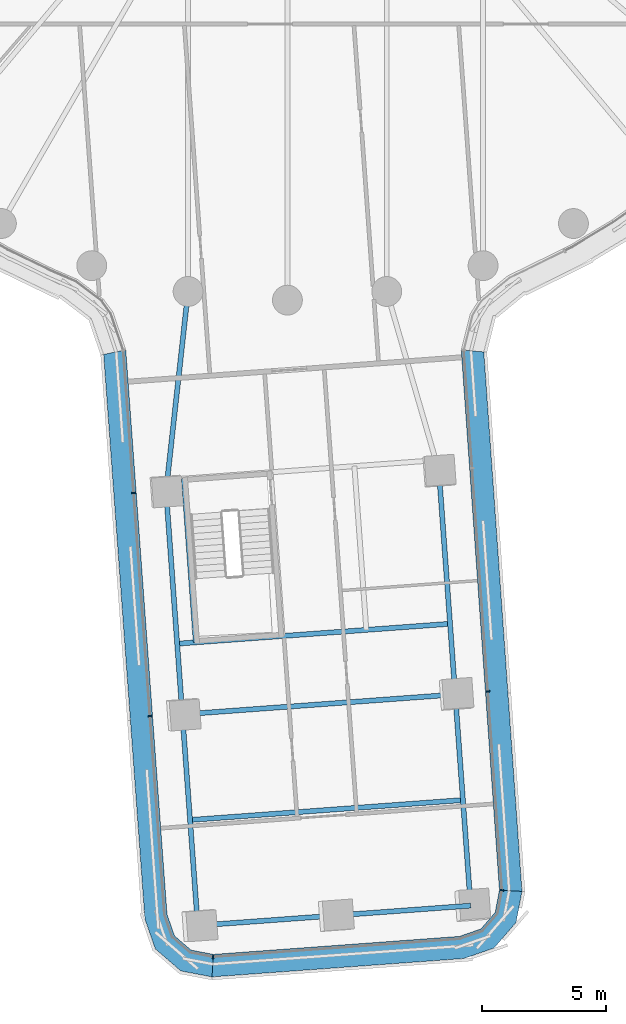
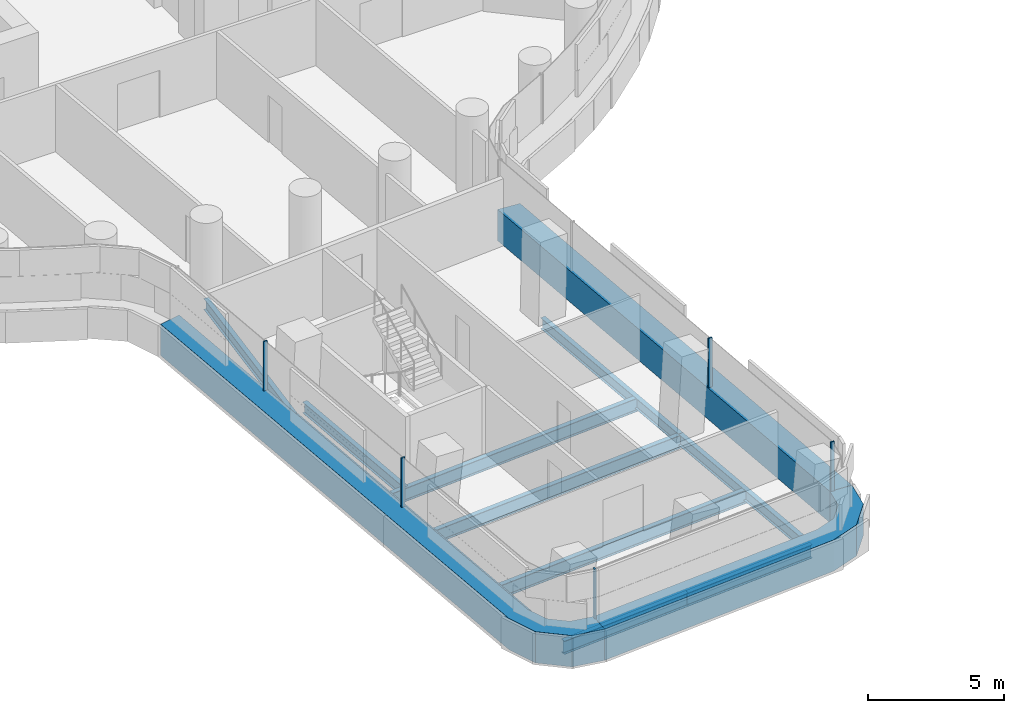
# One storey, part 2 of 31: 11 beams, 8 members, 3 elements without a shape of their own.
"""IFC4 building model written with IfcOpenShell, lengths in metres."""

from ifc_helpers import new_model, si_unit, direction, frame, origin, origin_2d, place, context, subcontext, project, spatial, polyline, rectangle, i_section, outline, extrude, material, layer, layer_set, material_profile, profile_set, type_object, element, aggregate, save


model = new_model("IFC4")

# Units and contexts
model_context = context("Model", 3, precision=1e-05, world=origin(), true_north=direction((0.0, 1.0)))
body_context = subcontext(model_context, "Body", "Model", "MODEL_VIEW")
ifc_project = project(units=[si_unit("LENGTHUNIT", "METRE"), si_unit("AREAUNIT", "SQUARE_METRE"), si_unit("VOLUMEUNIT", "CUBIC_METRE"), si_unit("PLANEANGLEUNIT", "RADIAN"), si_unit("MASSUNIT", "GRAM", prefix="KILO")], contexts=[model_context])

# Site, building, storey
site_placement = place(None, origin())
site = spatial("IfcSite", under=ifc_project, at=site_placement, CompositionType="ELEMENT")
building_placement = place(site_placement, origin())
building = spatial("IfcBuilding", under=site, at=building_placement, Name="Tamarind Cross Interchange Tower", CompositionType="ELEMENT")
storey_placement = place(building_placement, frame((0.0, 0.0, 49.0)))
storey = spatial("IfcBuildingStorey", under=building, at=storey_placement, Name="L10", CompositionType="ELEMENT", Elevation=49.0)

# Beams
ifc_material_1 = material(Name="Steel Q355B", Category="steel")
ifc_material_profile_1 = material_profile(ifc_material_1, i_section(OverallWidth=0.198974609375, OverallDepth=0.49609375, WebThickness=0.009033203125, FlangeThickness=0.013916015625, FilletRadius=0.012939453125, at=origin_2d()), Name="HN 496x199x9x14")
ifc_profile_set_1 = profile_set([ifc_material_profile_1], Name="Steel Q355B")
beam_type_1 = type_object("IfcBeamType", Name="Composite beam HN 496x199x9x14 Q355B", PredefinedType="BEAM", material=ifc_profile_set_1)
beam_1_placement = place(storey_placement, frame((-3.604248046875, -48.14501953125, -0.387939453125), z_axis=(-0.072873360777, 0.997341202041, 0.0), x_axis=(-0.997341202041, -0.072873360777, 0.0)))
element("IfcBeam", 1, at=beam_1_placement, inside=storey, type_object=beam_type_1, Name="Beam S-edgeem5", PredefinedType="BEAM", context=body_context, shape_type="SweptSolid", body=[
    extrude(i_section(OverallWidth=0.198974609375, OverallDepth=0.49609375, WebThickness=0.009033203125, FlangeThickness=0.013916015625, FilletRadius=0.012939453125, at=origin_2d()), origin(), (0.0, 0.0, 1.0), 8.512939453125),
])
beam_2_placement = place(storey_placement, frame((-4.224609375, -39.65478515625, -0.387939453125), z_axis=(-0.072889426516, 0.997340028026, 0.0), x_axis=(-0.997340028026, -0.072889426516, 0.0)))
element("IfcBeam", 2, at=beam_2_placement, inside=storey, type_object=beam_type_1, Name="Beam S-edgeem6", PredefinedType="BEAM", context=body_context, shape_type="SweptSolid", body=[
    extrude(i_section(OverallWidth=0.198974609375, OverallDepth=0.49609375, WebThickness=0.009033203125, FlangeThickness=0.013916015625, FilletRadius=0.012939453125, at=origin_2d()), origin(), (0.0, 0.0, 1.0), 9.0),
])
beam_3_placement = place(storey_placement, frame((7.366455078125, -47.34326171875, -0.387939453125), z_axis=(-0.072875445216, 0.997341049734, 0.0), x_axis=(-0.997341049734, -0.072875445216, 0.0)))
element("IfcBeam", 3, at=beam_3_placement, inside=storey, type_object=beam_type_1, Name="Beam S-edgeep2", PredefinedType="BEAM", context=body_context, shape_type="SweptSolid", body=[
    extrude(i_section(OverallWidth=0.198974609375, OverallDepth=0.49609375, WebThickness=0.009033203125, FlangeThickness=0.013916015625, FilletRadius=0.012939453125, at=origin_2d()), origin(), (0.0, 0.0, 1.0), 8.5126953125),
])
beam_4_placement = place(storey_placement, frame((6.74609375, -38.853271484375, -0.387939453125), z_axis=(-0.072862443863, 0.997341999654, 0.0), x_axis=(-0.997341999654, -0.072862443863, 0.0)))
element("IfcBeam", 4, at=beam_4_placement, inside=storey, type_object=beam_type_1, Name="Beam S-edgeep3", PredefinedType="BEAM", context=body_context, shape_type="SweptSolid", body=[
    extrude(i_section(OverallWidth=0.198974609375, OverallDepth=0.49609375, WebThickness=0.009033203125, FlangeThickness=0.013916015625, FilletRadius=0.012939453125, at=origin_2d()), origin(), (0.0, 0.0, 1.0), 9.0),
])
beam_5_placement = place(storey_placement, frame((-4.880615234375, -30.6787109375, -0.387939453125), z_axis=(0.109784570528, 0.993955405475, 0.0), x_axis=(-0.993955405475, 0.109784570528, 0.0)))
element("IfcBeam", 5, at=beam_5_placement, inside=storey, type_object=beam_type_1, Name="Beam S-linkem", PredefinedType="BEAM", context=body_context, shape_type="SweptSolid", body=[
    extrude(i_section(OverallWidth=0.198974609375, OverallDepth=0.49609375, WebThickness=0.009033203125, FlangeThickness=0.013916015625, FilletRadius=0.012939453125, at=origin_2d()), origin(), (0.0, 0.0, 1.0), 8.076904296875),
])
beam_6_placement = place(storey_placement, frame((-4.165283203125, -30.17529296875, -0.387939453125), z_axis=(0.072871538843, -0.997341335164, 0.0), x_axis=(0.997341335164, 0.072871538843, 0.0)))
element("IfcBeam", 6, at=beam_6_placement, inside=storey, type_object=beam_type_1, Name="Beam S-tr0", PredefinedType="BEAM", context=body_context, shape_type="SweptSolid", body=[
    extrude(i_section(OverallWidth=0.198974609375, OverallDepth=0.49609375, WebThickness=0.009033203125, FlangeThickness=0.013916015625, FilletRadius=0.012939453125, at=origin_2d()), origin(), (0.0, 0.0, 1.0), 6.60009765625),
])
ifc_material_profile_2 = material_profile(ifc_material_1, i_section(OverallWidth=0.199951171875, OverallDepth=0.60009765625, WebThickness=0.010986328125, FlangeThickness=0.01708984375, FilletRadius=0.012939453125, at=origin_2d()), Name="HN 600x200x11x17")
ifc_profile_set_2 = profile_set([ifc_material_profile_2], Name="Steel Q355B")
beam_type_2 = type_object("IfcBeamType", Name="Composite beam HN 600x200x11x17 Q355B", PredefinedType="BEAM", material=ifc_profile_set_2)
for number, where, z_axis, x_axis, name in (
    (7, (-3.604248046875, -48.14501953125, -0.43994140625), (0.997340181092, 0.072887332088, 0.0), (-0.072887332088, 0.997340181092, 0.0), "Beam S-tip0"),
    (8, (1.881103515625, -47.744140625, -0.43994140625), (0.997340181092, 0.072887332088, 0.0), (-0.072887332088, 0.997340181092, 0.0), "Beam S-tip1"),
):
    element("IfcBeam", number, at=place(storey_placement, frame(where, z_axis=z_axis, x_axis=x_axis)), inside=storey, type_object=beam_type_2, Name=name, PredefinedType="BEAM", context=body_context, shape_type="SweptSolid", body=[
        extrude(i_section(OverallWidth=0.199951171875, OverallDepth=0.60009765625, WebThickness=0.010986328125, FlangeThickness=0.01708984375, FilletRadius=0.012939453125, at=origin_2d()), origin(), (0.0, 0.0, 1.0), 5.5),
    ])
for number, where, z_axis, x_axis, name in (
    (9, (-4.432373046875, -36.8125, -0.43994140625), (0.997340181092, 0.072887332088, 0.0), (-0.072887332088, 0.997340181092, 0.0), "Beam S-x364"),
    (10, (-4.224609375, -39.65478515625, -0.43994140625), (0.997341794259, 0.072865255264, 0.0), (-0.072865255264, 0.997341794259, 0.0), "Beam S-x393"),
):
    element("IfcBeam", number, at=place(storey_placement, frame(where, z_axis=z_axis, x_axis=x_axis)), inside=storey, type_object=beam_type_2, Name=name, PredefinedType="BEAM", context=body_context, shape_type="SweptSolid", body=[
        extrude(i_section(OverallWidth=0.199951171875, OverallDepth=0.60009765625, WebThickness=0.010986328125, FlangeThickness=0.01708984375, FilletRadius=0.012939453125, at=origin_2d()), origin(), (0.0, 0.0, 1.0), 11.0),
    ])
beam_7_placement = place(storey_placement, frame((-3.91455078125, -43.89990234375, -0.43994140625), z_axis=(0.997340298999, 0.072885718715, 0.0), x_axis=(-0.072885718715, 0.997340298999, 0.0)))
element("IfcBeam", 11, at=beam_7_placement, inside=storey, type_object=beam_type_2, Name="Beam S-x436", PredefinedType="BEAM", context=body_context, shape_type="SweptSolid", body=[
    extrude(i_section(OverallWidth=0.199951171875, OverallDepth=0.60009765625, WebThickness=0.010986328125, FlangeThickness=0.01708984375, FilletRadius=0.012939453125, at=origin_2d()), origin(), (0.0, 0.0, 1.0), 11.000244140625),
])

# Curtain wall, member
ifc_material_2 = material(Name="Aluminium 6063-T6", Category="aluminium")
ifc_layer = layer(ifc_material_2, 0.159912109375)
ifc_layer_set = layer_set([ifc_layer], Name="Aluminium 6063-T6")
curtain_wall_type = type_object("IfcCurtainWallType", Name="Office curtain wall, 9.0 m bays", PredefinedType="NOTDEFINED", material=ifc_layer_set)
curtain_wall_1_placement = place(storey_placement, origin())
curtain_wall_1 = element("IfcCurtainWall", 12, at=curtain_wall_1_placement, inside=storey, type_object=curtain_wall_type, Name="CWS-L10-07", PredefinedType="NOTDEFINED")
ifc_material_3 = material(Name="Aluminium and insulated spandrel panel", Category="aluminium")
member_type_1 = type_object("IfcMemberType", Name="Floor-edge blade transom", PredefinedType="USERDEFINED", material=ifc_material_3)
member_1_placement = place(storey_placement, origin())
member_1 = element("IfcMember", 13, at=member_1_placement, type_object=member_type_1, Name="CWT-L10-07", ObjectType="TRANSOM", PredefinedType="USERDEFINED", context=body_context, shape_type="SweptSolid", body=[
    extrude(outline(polyline([(-6.498779296875, -24.999267578125), (-4.84033203125, -47.6943359375), (-4.53955078125, -48.558837890625), (-3.8779296875, -49.130615234375), (-2.978759765625, -49.302490234375), (-3.03125, -50.208740234375), (-4.28369140625, -49.96923828125), (-5.310546875, -49.082275390625), (-5.729248046875, -47.878173828125), (-7.387939453125, -25.180419921875), (-6.498779296875, -24.999267578125)])), origin(), (0.0, 0.0, 1.0), 1.39990234375),
])

curtain_wall_2_placement = place(storey_placement, origin())
curtain_wall_2 = element("IfcCurtainWall", 14, at=curtain_wall_2_placement, inside=storey, type_object=curtain_wall_type, Name="CWS-L10-08", PredefinedType="NOTDEFINED")
member_2_placement = place(storey_placement, origin())
member_2 = element("IfcMember", 15, at=member_2_placement, type_object=member_type_1, Name="CWT-L10-08", ObjectType="TRANSOM", PredefinedType="USERDEFINED", context=body_context, shape_type="SweptSolid", body=[
    extrude(outline(polyline([(-2.978759765625, -49.302490234375), (6.916015625, -48.579345703125), (7.780517578125, -48.27880859375), (8.35205078125, -47.616943359375), (8.524169921875, -46.717529296875), (9.43017578125, -46.77099609375), (9.19091796875, -48.022705078125), (8.303955078125, -49.049560546875), (7.099609375, -49.468505859375), (-3.03125, -50.208740234375), (-2.978759765625, -49.302490234375)])), origin(), (0.0, 0.0, 1.0), 1.39990234375),
])

curtain_wall_3_placement = place(storey_placement, origin())
curtain_wall_3 = element("IfcCurtainWall", 16, at=curtain_wall_3_placement, inside=storey, type_object=curtain_wall_type, Name="CWS-L10-09", PredefinedType="NOTDEFINED")
member_3_placement = place(storey_placement, origin())
member_3 = element("IfcMember", 17, at=member_3_placement, type_object=member_type_1, Name="CWT-L10-09", ObjectType="TRANSOM", PredefinedType="USERDEFINED", context=body_context, shape_type="SweptSolid", body=[
    extrude(outline(polyline([(8.524169921875, -46.717529296875), (6.9873046875, -25.00146484375), (7.89501953125, -25.080810546875), (9.43017578125, -46.77099609375), (8.524169921875, -46.717529296875)])), origin(), (0.0, 0.0, 1.0), 1.39990234375),
])

# Member
ifc_material_profile_3 = material_profile(ifc_material_2, rectangle(XDim=0.06005859375, YDim=0.159912109375, at=origin_2d()), Name="Mullion CW1")
ifc_profile_set_3 = profile_set([ifc_material_profile_3], Name="Aluminium 6063-T6")
member_type_2 = type_object("IfcMemberType", Name="Mullion CW1", PredefinedType="MULLION", material=ifc_profile_set_3)
member_4_placement = place(storey_placement, frame((-6.178955078125, -30.747802734375, 1.39990234375), z_axis=(0.0, 0.0, 1.0), x_axis=(0.072876138746, -0.997340999058, 0.0)))
member_4 = element("IfcMember", 18, at=member_4_placement, type_object=member_type_2, Name="CWM-L10-07-01", PredefinedType="MULLION", context=body_context, shape_type="SweptSolid", body=[
    extrude(rectangle(XDim=0.06005859375, YDim=0.159912109375, at=origin_2d()), origin(), (0.0, 0.0, 1.0), 2.210205078125),
])

member_5_placement = place(storey_placement, frame((-5.52294921875, -39.723388671875, 1.39990234375), z_axis=(0.0, 0.0, 1.0), x_axis=(0.072876138746, -0.997340999058, 0.0)))
member_5 = element("IfcMember", 19, at=member_5_placement, type_object=member_type_2, Name="CWM-L10-07-02", PredefinedType="MULLION", context=body_context, shape_type="SweptSolid", body=[
    extrude(rectangle(XDim=0.06005859375, YDim=0.159912109375, at=origin_2d()), origin(), (0.0, 0.0, 1.0), 2.210205078125),
])

aggregate(curtain_wall_1, [member_4, member_5, member_1])

member_6_placement = place(storey_placement, frame((-2.984619140625, -49.403076171875, 1.39990234375), z_axis=(0.0, 0.0, 1.0), x_axis=(0.998320853447, -0.057926449675, 0.0)))
member_6 = element("IfcMember", 20, at=member_6_placement, type_object=member_type_2, Name="CWM-L10-08-00", PredefinedType="MULLION", context=body_context, shape_type="SweptSolid", body=[
    extrude(rectangle(XDim=0.06005859375, YDim=0.159912109375, at=origin_2d()), origin(), (0.0, 0.0, 1.0), 2.210205078125),
])

aggregate(curtain_wall_2, [member_6, member_2])

member_7_placement = place(storey_placement, frame((8.624755859375, -46.723388671875, 1.39990234375), z_axis=(0.0, 0.0, 1.0), x_axis=(0.059068617559, 0.998253924821, 0.0)))
member_7 = element("IfcMember", 21, at=member_7_placement, type_object=member_type_2, Name="CWM-L10-09-00", PredefinedType="MULLION", context=body_context, shape_type="SweptSolid", body=[
    extrude(rectangle(XDim=0.06005859375, YDim=0.159912109375, at=origin_2d()), origin(), (0.0, 0.0, 1.0), 2.210205078125),
])

member_8_placement = place(storey_placement, frame((8.058837890625, -38.728515625, 1.39990234375), z_axis=(0.0, 0.0, 1.0), x_axis=(-0.070593780008, 0.997505146966, 0.0)))
member_8 = element("IfcMember", 22, at=member_8_placement, type_object=member_type_2, Name="CWM-L10-09-01", PredefinedType="MULLION", context=body_context, shape_type="SweptSolid", body=[
    extrude(rectangle(XDim=0.06005859375, YDim=0.159912109375, at=origin_2d()), origin(), (0.0, 0.0, 1.0), 2.210205078125),
])

aggregate(curtain_wall_3, [member_7, member_8, member_3])

save(model, "model.ifc")
